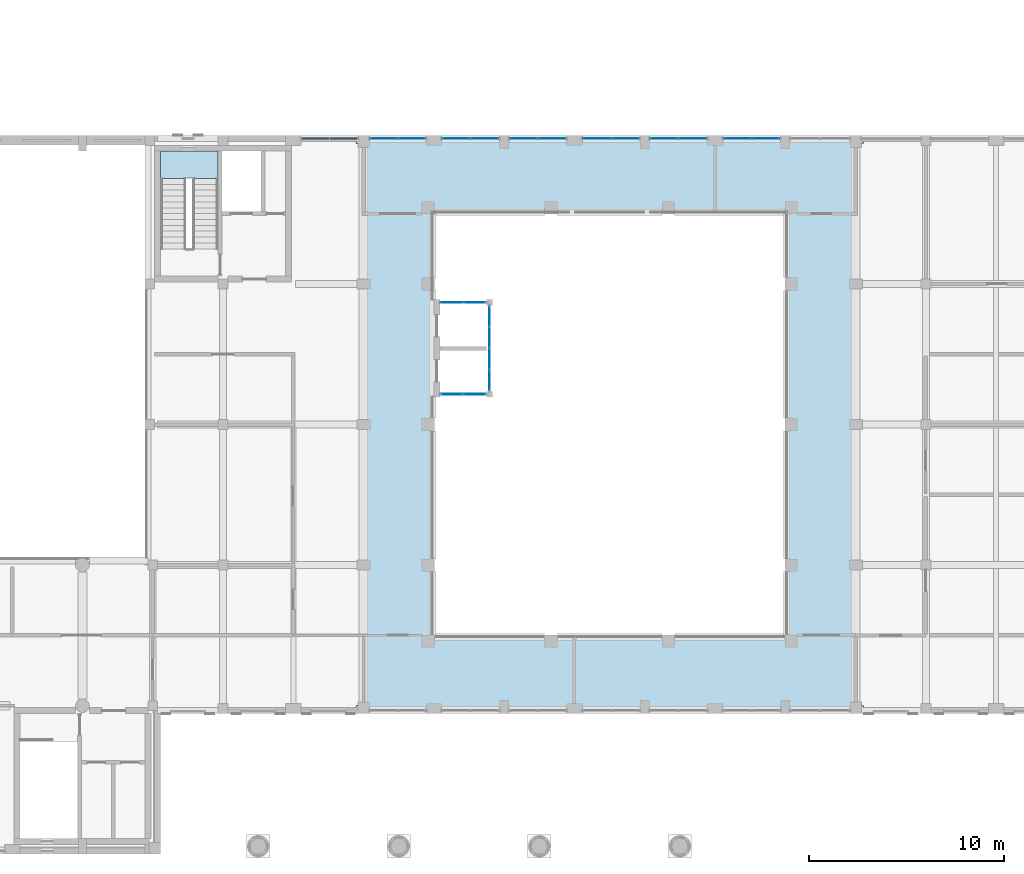
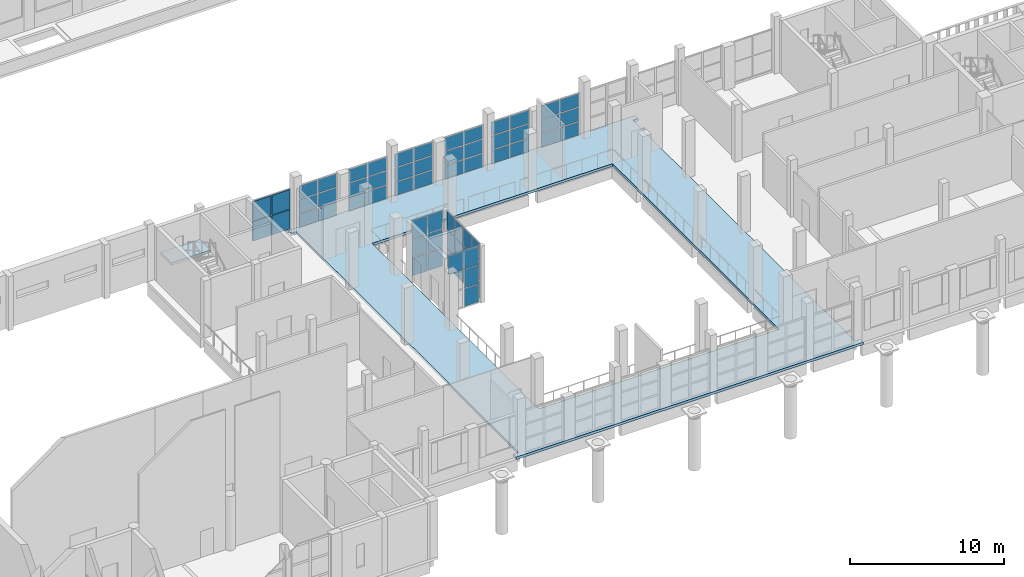
# One storey, part 15 of 59: 62 plates, 2 slabs, 11 elements without a shape of their own.
"""IFC4 building model written with IfcOpenShell, lengths in metres."""

from ifc_helpers import new_model, si_unit, direction, frame, origin, origin_2d, place, context, subcontext, project, spatial, polyline, rectangle, outline, extrude, material, layer, layer_set, type_object, element, aggregate, save


model = new_model("IFC4")

# Units and contexts
model_context = context("Model", 3, precision=1e-05, world=origin(), true_north=direction((0.0, 1.0)))
body_context = subcontext(model_context, "Body", "Model", "MODEL_VIEW")
ifc_project = project(units=[si_unit("LENGTHUNIT", "METRE"), si_unit("AREAUNIT", "SQUARE_METRE"), si_unit("VOLUMEUNIT", "CUBIC_METRE"), si_unit("PLANEANGLEUNIT", "RADIAN"), si_unit("MASSUNIT", "GRAM", prefix="KILO")], contexts=[model_context])

# Site, building, storey
site_placement = place(None, origin())
site = spatial("IfcSite", under=ifc_project, at=site_placement, CompositionType="ELEMENT")
building_placement = place(site_placement, origin())
building = spatial("IfcBuilding", under=site, at=building_placement, Name="Ussher Court Research Institute", CompositionType="ELEMENT")
storey_placement = place(building_placement, frame((0.0, 0.0, 5.39990234375)))
storey = spatial("IfcBuildingStorey", under=building, at=storey_placement, Name="L01", CompositionType="ELEMENT", Elevation=5.39990234375)

# Curtain wall, plates
ifc_material_1 = material(Name="Bronze anodised aluminium with fire-resisting glass", Category="aluminium")
ifc_layer_1 = layer(ifc_material_1, 0.1201171875)
ifc_layer_set_1 = layer_set([ifc_layer_1], Name="Bronze anodised aluminium with fire-resisting glass")
curtain_wall_type_1 = type_object("IfcCurtainWallType", Name="Curtain wall stair-side fire-resisting glazing", PredefinedType="NOTDEFINED", material=ifc_layer_set_1)
curtain_wall_1_placement = place(storey_placement, origin())
curtain_wall_1 = element("IfcCurtainWall", 1, at=curtain_wall_1_placement, inside=storey, type_object=curtain_wall_type_1, Name="Curtain wall CW13 L01", PredefinedType="NOTDEFINED")
ifc_material_2 = material(Name="Fire-resisting laminated glazed unit")
ifc_layer_2 = layer(ifc_material_2, 0.090087890625)
ifc_layer_set_2 = layer_set([ifc_layer_2], Name="Fire-resisting laminated glazed unit")
plate_type_1 = type_object("IfcPlateType", Name="Fire-resisting glazing panel EI 60 90 mm", PredefinedType="CURTAIN_PANEL", material=ifc_layer_set_2)
plate_1_placement = place(storey_placement, frame((36.5400390625, 40.25, 0.2099609375), z_axis=(0.0, 0.0, 1.0), x_axis=(1.0, 0.0, 0.0)))
plate_1 = element("IfcPlate", 2, at=plate_1_placement, type_object=plate_type_1, Name="CW13 panel 1.1", PredefinedType="CURTAIN_PANEL", context=body_context, shape_type="SweptSolid", body=[
    extrude(rectangle(XDim=1.360107421875, YDim=0.090087890625, at=origin_2d()), origin(), (0.0, 0.0, 1.0), 1.534912109375),
])
plate_2_placement = place(storey_placement, frame((36.5400390625, 40.25, 1.80517578125), z_axis=(0.0, 0.0, 1.0), x_axis=(1.0, 0.0, 0.0)))
plate_2 = element("IfcPlate", 3, at=plate_2_placement, type_object=plate_type_1, Name="CW13 panel 1.2", PredefinedType="CURTAIN_PANEL", context=body_context, shape_type="SweptSolid", body=[
    extrude(rectangle(XDim=1.360107421875, YDim=0.090087890625, at=origin_2d()), origin(), (0.0, 0.0, 1.0), 1.534912109375),
])
plate_3_placement = place(storey_placement, frame((37.9599609375, 40.25, 0.2099609375), z_axis=(0.0, 0.0, 1.0), x_axis=(1.0, 0.0, 0.0)))
plate_3 = element("IfcPlate", 4, at=plate_3_placement, type_object=plate_type_1, Name="CW13 panel 2.1", PredefinedType="CURTAIN_PANEL", context=body_context, shape_type="SweptSolid", body=[
    extrude(rectangle(XDim=1.360107421875, YDim=0.090087890625, at=origin_2d()), origin(), (0.0, 0.0, 1.0), 1.534912109375),
])
plate_4_placement = place(storey_placement, frame((37.9599609375, 40.25, 1.80517578125), z_axis=(0.0, 0.0, 1.0), x_axis=(1.0, 0.0, 0.0)))
plate_4 = element("IfcPlate", 5, at=plate_4_placement, type_object=plate_type_1, Name="CW13 panel 2.2", PredefinedType="CURTAIN_PANEL", context=body_context, shape_type="SweptSolid", body=[
    extrude(rectangle(XDim=1.360107421875, YDim=0.090087890625, at=origin_2d()), origin(), (0.0, 0.0, 1.0), 1.534912109375),
])
aggregate(curtain_wall_1, [plate_1, plate_2, plate_3, plate_4])

# Slab
ifc_material_3 = material(Name="Concrete C35/45", Category="concrete")
ifc_layer_3 = layer(ifc_material_3, 0.199951171875)
ifc_layer_set_3 = layer_set([ifc_layer_3], Name="Concrete C35/45")
slab_type_1 = type_object("IfcSlabType", Name="Floor slab 200", PredefinedType="FLOOR", material=ifc_layer_set_3)
slab_1_placement = place(storey_placement, frame((0.0, 0.0, -0.199951171875)))
element("IfcSlab", 6, at=slab_1_placement, inside=storey, type_object=slab_type_1, Name="FS200 V2 L01-01", PredefinedType="FLOOR", context=body_context, shape_type="SweptSolid", body=[
    extrude(outline(polyline([(39.0, 40.0), (39.0, 11.199951171875), (38.60009765625, 11.199951171875), (38.60009765625, 10.800048828125), (64.60009765625, 10.800048828125), (64.60009765625, 11.199951171875), (64.199951171875, 11.199951171875), (64.199951171875, 40.0), (64.60009765625, 40.0), (64.60009765625, 40.39990234375), (38.60009765625, 40.39990234375), (38.60009765625, 40.0), (39.0, 40.0)]), holes=[polyline([(42.60009765625, 36.39990234375), (60.60009765625, 36.39990234375), (60.60009765625, 14.800048828125), (42.60009765625, 14.800048828125), (42.60009765625, 36.39990234375)])]), origin(), (0.0, 0.0, 1.0), 0.199951171875),
])

# Curtain wall, plates
ifc_material_4 = material(Name="Bronze anodised aluminium with low-e glass", Category="aluminium")
ifc_layer_4 = layer(ifc_material_4, 0.1201171875)
ifc_layer_set_4 = layer_set([ifc_layer_4], Name="Bronze anodised aluminium with low-e glass")
curtain_wall_type_2 = type_object("IfcCurtainWallType", Name="Curtain wall atrium clear glazing", PredefinedType="NOTDEFINED", material=ifc_layer_set_4)
curtain_wall_2_placement = place(storey_placement, origin())
curtain_wall_2 = element("IfcCurtainWall", 7, at=curtain_wall_2_placement, inside=storey, type_object=curtain_wall_type_2, Name="Curtain wall CW2 L01", PredefinedType="NOTDEFINED")
ifc_material_5 = material(Name="Double glazed unit")
ifc_layer_5 = layer(ifc_material_5, 0.028076171875)
ifc_layer_set_5 = layer_set([ifc_layer_5], Name="Double glazed unit")
plate_type_2 = type_object("IfcPlateType", Name="Glazing panel 28 mm", PredefinedType="CURTAIN_PANEL", material=ifc_layer_set_5)
plate_5_placement = place(storey_placement, frame((40.0400390625, 40.25, 0.06005859375), z_axis=(0.0, 0.0, 1.0), x_axis=(1.0, 0.0, 0.0)))
plate_5 = element("IfcPlate", 8, at=plate_5_placement, type_object=plate_type_2, Name="CW2 panel 1.1", PredefinedType="CURTAIN_PANEL", context=body_context, shape_type="SweptSolid", body=[
    extrude(rectangle(XDim=1.360107421875, YDim=0.028076171875, at=origin_2d()), origin(), (0.0, 0.0, 1.0), 1.043212890625),
])
plate_6_placement = place(storey_placement, frame((40.0400390625, 40.25, 1.16357421875), z_axis=(0.0, 0.0, 1.0), x_axis=(1.0, 0.0, 0.0)))
plate_6 = element("IfcPlate", 9, at=plate_6_placement, type_object=plate_type_2, Name="CW2 panel 1.2", PredefinedType="CURTAIN_PANEL", context=body_context, shape_type="SweptSolid", body=[
    extrude(rectangle(XDim=1.360107421875, YDim=0.028076171875, at=origin_2d()), origin(), (0.0, 0.0, 1.0), 1.073486328125),
])
plate_7_placement = place(storey_placement, frame((40.0400390625, 40.25, 2.296875), z_axis=(0.0, 0.0, 1.0), x_axis=(1.0, 0.0, 0.0)))
plate_7 = element("IfcPlate", 10, at=plate_7_placement, type_object=plate_type_2, Name="CW2 panel 1.3", PredefinedType="CURTAIN_PANEL", context=body_context, shape_type="SweptSolid", body=[
    extrude(rectangle(XDim=1.360107421875, YDim=0.028076171875, at=origin_2d()), origin(), (0.0, 0.0, 1.0), 1.043212890625),
])
plate_8_placement = place(storey_placement, frame((41.4599609375, 40.25, 0.06005859375), z_axis=(0.0, 0.0, 1.0), x_axis=(1.0, 0.0, 0.0)))
plate_8 = element("IfcPlate", 11, at=plate_8_placement, type_object=plate_type_2, Name="CW2 panel 2.1", PredefinedType="CURTAIN_PANEL", context=body_context, shape_type="SweptSolid", body=[
    extrude(rectangle(XDim=1.360107421875, YDim=0.028076171875, at=origin_2d()), origin(), (0.0, 0.0, 1.0), 1.043212890625),
])
plate_9_placement = place(storey_placement, frame((41.4599609375, 40.25, 1.16357421875), z_axis=(0.0, 0.0, 1.0), x_axis=(1.0, 0.0, 0.0)))
plate_9 = element("IfcPlate", 12, at=plate_9_placement, type_object=plate_type_2, Name="CW2 panel 2.2", PredefinedType="CURTAIN_PANEL", context=body_context, shape_type="SweptSolid", body=[
    extrude(rectangle(XDim=1.360107421875, YDim=0.028076171875, at=origin_2d()), origin(), (0.0, 0.0, 1.0), 1.073486328125),
])
plate_10_placement = place(storey_placement, frame((41.4599609375, 40.25, 2.296875), z_axis=(0.0, 0.0, 1.0), x_axis=(1.0, 0.0, 0.0)))
plate_10 = element("IfcPlate", 13, at=plate_10_placement, type_object=plate_type_2, Name="CW2 panel 2.3", PredefinedType="CURTAIN_PANEL", context=body_context, shape_type="SweptSolid", body=[
    extrude(rectangle(XDim=1.360107421875, YDim=0.028076171875, at=origin_2d()), origin(), (0.0, 0.0, 1.0), 1.043212890625),
])
aggregate(curtain_wall_2, [plate_5, plate_6, plate_7, plate_8, plate_9, plate_10])

curtain_wall_3_placement = place(storey_placement, origin())
curtain_wall_3 = element("IfcCurtainWall", 14, at=curtain_wall_3_placement, inside=storey, type_object=curtain_wall_type_2, Name="Curtain wall CW2 L01", PredefinedType="NOTDEFINED")
plate_11_placement = place(storey_placement, frame((43.75244140625, 40.25, 0.06005859375), z_axis=(0.0, 0.0, 1.0), x_axis=(1.0, 0.0, 0.0)))
plate_11 = element("IfcPlate", 15, at=plate_11_placement, type_object=plate_type_2, Name="CW2 panel 1.1", PredefinedType="CURTAIN_PANEL", context=body_context, shape_type="SweptSolid", body=[
    extrude(rectangle(XDim=1.385009765625, YDim=0.028076171875, at=origin_2d()), origin(), (0.0, 0.0, 1.0), 1.043212890625),
])
plate_12_placement = place(storey_placement, frame((43.75244140625, 40.25, 1.16357421875), z_axis=(0.0, 0.0, 1.0), x_axis=(1.0, 0.0, 0.0)))
plate_12 = element("IfcPlate", 16, at=plate_12_placement, type_object=plate_type_2, Name="CW2 panel 1.2", PredefinedType="CURTAIN_PANEL", context=body_context, shape_type="SweptSolid", body=[
    extrude(rectangle(XDim=1.385009765625, YDim=0.028076171875, at=origin_2d()), origin(), (0.0, 0.0, 1.0), 1.073486328125),
])
plate_13_placement = place(storey_placement, frame((43.75244140625, 40.25, 2.296875), z_axis=(0.0, 0.0, 1.0), x_axis=(1.0, 0.0, 0.0)))
plate_13 = element("IfcPlate", 17, at=plate_13_placement, type_object=plate_type_2, Name="CW2 panel 1.3", PredefinedType="CURTAIN_PANEL", context=body_context, shape_type="SweptSolid", body=[
    extrude(rectangle(XDim=1.385009765625, YDim=0.028076171875, at=origin_2d()), origin(), (0.0, 0.0, 1.0), 1.043212890625),
])
plate_14_placement = place(storey_placement, frame((45.197509765625, 40.25, 0.06005859375), z_axis=(0.0, 0.0, 1.0), x_axis=(1.0, 0.0, 0.0)))
plate_14 = element("IfcPlate", 18, at=plate_14_placement, type_object=plate_type_2, Name="CW2 panel 2.1", PredefinedType="CURTAIN_PANEL", context=body_context, shape_type="SweptSolid", body=[
    extrude(rectangle(XDim=1.385009765625, YDim=0.028076171875, at=origin_2d()), origin(), (0.0, 0.0, 1.0), 1.043212890625),
])
plate_15_placement = place(storey_placement, frame((45.197509765625, 40.25, 1.16357421875), z_axis=(0.0, 0.0, 1.0), x_axis=(1.0, 0.0, 0.0)))
plate_15 = element("IfcPlate", 19, at=plate_15_placement, type_object=plate_type_2, Name="CW2 panel 2.2", PredefinedType="CURTAIN_PANEL", context=body_context, shape_type="SweptSolid", body=[
    extrude(rectangle(XDim=1.385009765625, YDim=0.028076171875, at=origin_2d()), origin(), (0.0, 0.0, 1.0), 1.073486328125),
])
plate_16_placement = place(storey_placement, frame((45.197509765625, 40.25, 2.296875), z_axis=(0.0, 0.0, 1.0), x_axis=(1.0, 0.0, 0.0)))
plate_16 = element("IfcPlate", 20, at=plate_16_placement, type_object=plate_type_2, Name="CW2 panel 2.3", PredefinedType="CURTAIN_PANEL", context=body_context, shape_type="SweptSolid", body=[
    extrude(rectangle(XDim=1.385009765625, YDim=0.028076171875, at=origin_2d()), origin(), (0.0, 0.0, 1.0), 1.043212890625),
])
aggregate(curtain_wall_3, [plate_11, plate_12, plate_13, plate_14, plate_15, plate_16])

curtain_wall_4_placement = place(storey_placement, origin())
curtain_wall_4 = element("IfcCurtainWall", 21, at=curtain_wall_4_placement, inside=storey, type_object=curtain_wall_type_2, Name="Curtain wall CW2 L01", PredefinedType="NOTDEFINED")
plate_17_placement = place(storey_placement, frame((47.202392578125, 40.25, 0.06005859375), z_axis=(0.0, 0.0, 1.0), x_axis=(1.0, 0.0, 0.0)))
plate_17 = element("IfcPlate", 22, at=plate_17_placement, type_object=plate_type_2, Name="CW2 panel 1.1", PredefinedType="CURTAIN_PANEL", context=body_context, shape_type="SweptSolid", body=[
    extrude(rectangle(XDim=1.385009765625, YDim=0.028076171875, at=origin_2d()), origin(), (0.0, 0.0, 1.0), 1.043212890625),
])
plate_18_placement = place(storey_placement, frame((47.202392578125, 40.25, 1.16357421875), z_axis=(0.0, 0.0, 1.0), x_axis=(1.0, 0.0, 0.0)))
plate_18 = element("IfcPlate", 23, at=plate_18_placement, type_object=plate_type_2, Name="CW2 panel 1.2", PredefinedType="CURTAIN_PANEL", context=body_context, shape_type="SweptSolid", body=[
    extrude(rectangle(XDim=1.385009765625, YDim=0.028076171875, at=origin_2d()), origin(), (0.0, 0.0, 1.0), 1.073486328125),
])
plate_19_placement = place(storey_placement, frame((47.202392578125, 40.25, 2.296875), z_axis=(0.0, 0.0, 1.0), x_axis=(1.0, 0.0, 0.0)))
plate_19 = element("IfcPlate", 24, at=plate_19_placement, type_object=plate_type_2, Name="CW2 panel 1.3", PredefinedType="CURTAIN_PANEL", context=body_context, shape_type="SweptSolid", body=[
    extrude(rectangle(XDim=1.385009765625, YDim=0.028076171875, at=origin_2d()), origin(), (0.0, 0.0, 1.0), 1.043212890625),
])
plate_20_placement = place(storey_placement, frame((48.6474609375, 40.25, 0.06005859375), z_axis=(0.0, 0.0, 1.0), x_axis=(1.0, 0.0, 0.0)))
plate_20 = element("IfcPlate", 25, at=plate_20_placement, type_object=plate_type_2, Name="CW2 panel 2.1", PredefinedType="CURTAIN_PANEL", context=body_context, shape_type="SweptSolid", body=[
    extrude(rectangle(XDim=1.385009765625, YDim=0.028076171875, at=origin_2d()), origin(), (0.0, 0.0, 1.0), 1.043212890625),
])
plate_21_placement = place(storey_placement, frame((48.6474609375, 40.25, 1.16357421875), z_axis=(0.0, 0.0, 1.0), x_axis=(1.0, 0.0, 0.0)))
plate_21 = element("IfcPlate", 26, at=plate_21_placement, type_object=plate_type_2, Name="CW2 panel 2.2", PredefinedType="CURTAIN_PANEL", context=body_context, shape_type="SweptSolid", body=[
    extrude(rectangle(XDim=1.385009765625, YDim=0.028076171875, at=origin_2d()), origin(), (0.0, 0.0, 1.0), 1.073486328125),
])
plate_22_placement = place(storey_placement, frame((48.6474609375, 40.25, 2.296875), z_axis=(0.0, 0.0, 1.0), x_axis=(1.0, 0.0, 0.0)))
plate_22 = element("IfcPlate", 27, at=plate_22_placement, type_object=plate_type_2, Name="CW2 panel 2.3", PredefinedType="CURTAIN_PANEL", context=body_context, shape_type="SweptSolid", body=[
    extrude(rectangle(XDim=1.385009765625, YDim=0.028076171875, at=origin_2d()), origin(), (0.0, 0.0, 1.0), 1.043212890625),
])
aggregate(curtain_wall_4, [plate_17, plate_18, plate_19, plate_20, plate_21, plate_22])

curtain_wall_5_placement = place(storey_placement, origin())
curtain_wall_5 = element("IfcCurtainWall", 28, at=curtain_wall_5_placement, inside=storey, type_object=curtain_wall_type_2, Name="Curtain wall CW2 L01", PredefinedType="NOTDEFINED")
plate_23_placement = place(storey_placement, frame((50.952392578125, 40.25, 0.06005859375), z_axis=(0.0, 0.0, 1.0), x_axis=(1.0, 0.0, 0.0)))
plate_23 = element("IfcPlate", 29, at=plate_23_placement, type_object=plate_type_2, Name="CW2 panel 1.1", PredefinedType="CURTAIN_PANEL", context=body_context, shape_type="SweptSolid", body=[
    extrude(rectangle(XDim=1.385009765625, YDim=0.028076171875, at=origin_2d()), origin(), (0.0, 0.0, 1.0), 1.043212890625),
])
plate_24_placement = place(storey_placement, frame((50.952392578125, 40.25, 1.16357421875), z_axis=(0.0, 0.0, 1.0), x_axis=(1.0, 0.0, 0.0)))
plate_24 = element("IfcPlate", 30, at=plate_24_placement, type_object=plate_type_2, Name="CW2 panel 1.2", PredefinedType="CURTAIN_PANEL", context=body_context, shape_type="SweptSolid", body=[
    extrude(rectangle(XDim=1.385009765625, YDim=0.028076171875, at=origin_2d()), origin(), (0.0, 0.0, 1.0), 1.073486328125),
])
plate_25_placement = place(storey_placement, frame((50.952392578125, 40.25, 2.296875), z_axis=(0.0, 0.0, 1.0), x_axis=(1.0, 0.0, 0.0)))
plate_25 = element("IfcPlate", 31, at=plate_25_placement, type_object=plate_type_2, Name="CW2 panel 1.3", PredefinedType="CURTAIN_PANEL", context=body_context, shape_type="SweptSolid", body=[
    extrude(rectangle(XDim=1.385009765625, YDim=0.028076171875, at=origin_2d()), origin(), (0.0, 0.0, 1.0), 1.043212890625),
])
plate_26_placement = place(storey_placement, frame((52.3974609375, 40.25, 0.06005859375), z_axis=(0.0, 0.0, 1.0), x_axis=(1.0, 0.0, 0.0)))
plate_26 = element("IfcPlate", 32, at=plate_26_placement, type_object=plate_type_2, Name="CW2 panel 2.1", PredefinedType="CURTAIN_PANEL", context=body_context, shape_type="SweptSolid", body=[
    extrude(rectangle(XDim=1.385009765625, YDim=0.028076171875, at=origin_2d()), origin(), (0.0, 0.0, 1.0), 1.043212890625),
])
plate_27_placement = place(storey_placement, frame((52.3974609375, 40.25, 1.16357421875), z_axis=(0.0, 0.0, 1.0), x_axis=(1.0, 0.0, 0.0)))
plate_27 = element("IfcPlate", 33, at=plate_27_placement, type_object=plate_type_2, Name="CW2 panel 2.2", PredefinedType="CURTAIN_PANEL", context=body_context, shape_type="SweptSolid", body=[
    extrude(rectangle(XDim=1.385009765625, YDim=0.028076171875, at=origin_2d()), origin(), (0.0, 0.0, 1.0), 1.073486328125),
])
plate_28_placement = place(storey_placement, frame((52.3974609375, 40.25, 2.296875), z_axis=(0.0, 0.0, 1.0), x_axis=(1.0, 0.0, 0.0)))
plate_28 = element("IfcPlate", 34, at=plate_28_placement, type_object=plate_type_2, Name="CW2 panel 2.3", PredefinedType="CURTAIN_PANEL", context=body_context, shape_type="SweptSolid", body=[
    extrude(rectangle(XDim=1.385009765625, YDim=0.028076171875, at=origin_2d()), origin(), (0.0, 0.0, 1.0), 1.043212890625),
])
aggregate(curtain_wall_5, [plate_23, plate_24, plate_25, plate_26, plate_27, plate_28])

curtain_wall_6_placement = place(storey_placement, origin())
curtain_wall_6 = element("IfcCurtainWall", 35, at=curtain_wall_6_placement, inside=storey, type_object=curtain_wall_type_2, Name="Curtain wall CW2 L01", PredefinedType="NOTDEFINED")
plate_29_placement = place(storey_placement, frame((54.402587890625, 40.25, 0.06005859375), z_axis=(0.0, 0.0, 1.0), x_axis=(1.0, 0.0, 0.0)))
plate_29 = element("IfcPlate", 36, at=plate_29_placement, type_object=plate_type_2, Name="CW2 panel 1.1", PredefinedType="CURTAIN_PANEL", context=body_context, shape_type="SweptSolid", body=[
    extrude(rectangle(XDim=1.385009765625, YDim=0.028076171875, at=origin_2d()), origin(), (0.0, 0.0, 1.0), 1.043212890625),
])
plate_30_placement = place(storey_placement, frame((54.402587890625, 40.25, 1.16357421875), z_axis=(0.0, 0.0, 1.0), x_axis=(1.0, 0.0, 0.0)))
plate_30 = element("IfcPlate", 37, at=plate_30_placement, type_object=plate_type_2, Name="CW2 panel 1.2", PredefinedType="CURTAIN_PANEL", context=body_context, shape_type="SweptSolid", body=[
    extrude(rectangle(XDim=1.385009765625, YDim=0.028076171875, at=origin_2d()), origin(), (0.0, 0.0, 1.0), 1.073486328125),
])
plate_31_placement = place(storey_placement, frame((54.402587890625, 40.25, 2.296875), z_axis=(0.0, 0.0, 1.0), x_axis=(1.0, 0.0, 0.0)))
plate_31 = element("IfcPlate", 38, at=plate_31_placement, type_object=plate_type_2, Name="CW2 panel 1.3", PredefinedType="CURTAIN_PANEL", context=body_context, shape_type="SweptSolid", body=[
    extrude(rectangle(XDim=1.385009765625, YDim=0.028076171875, at=origin_2d()), origin(), (0.0, 0.0, 1.0), 1.043212890625),
])
plate_32_placement = place(storey_placement, frame((55.847412109375, 40.25, 0.06005859375), z_axis=(0.0, 0.0, 1.0), x_axis=(1.0, 0.0, 0.0)))
plate_32 = element("IfcPlate", 39, at=plate_32_placement, type_object=plate_type_2, Name="CW2 panel 2.1", PredefinedType="CURTAIN_PANEL", context=body_context, shape_type="SweptSolid", body=[
    extrude(rectangle(XDim=1.385009765625, YDim=0.028076171875, at=origin_2d()), origin(), (0.0, 0.0, 1.0), 1.043212890625),
])
plate_33_placement = place(storey_placement, frame((55.847412109375, 40.25, 1.16357421875), z_axis=(0.0, 0.0, 1.0), x_axis=(1.0, 0.0, 0.0)))
plate_33 = element("IfcPlate", 40, at=plate_33_placement, type_object=plate_type_2, Name="CW2 panel 2.2", PredefinedType="CURTAIN_PANEL", context=body_context, shape_type="SweptSolid", body=[
    extrude(rectangle(XDim=1.385009765625, YDim=0.028076171875, at=origin_2d()), origin(), (0.0, 0.0, 1.0), 1.073486328125),
])
plate_34_placement = place(storey_placement, frame((55.847412109375, 40.25, 2.296875), z_axis=(0.0, 0.0, 1.0), x_axis=(1.0, 0.0, 0.0)))
plate_34 = element("IfcPlate", 41, at=plate_34_placement, type_object=plate_type_2, Name="CW2 panel 2.3", PredefinedType="CURTAIN_PANEL", context=body_context, shape_type="SweptSolid", body=[
    extrude(rectangle(XDim=1.385009765625, YDim=0.028076171875, at=origin_2d()), origin(), (0.0, 0.0, 1.0), 1.043212890625),
])
aggregate(curtain_wall_6, [plate_29, plate_30, plate_31, plate_32, plate_33, plate_34])

curtain_wall_7_placement = place(storey_placement, origin())
curtain_wall_7 = element("IfcCurtainWall", 42, at=curtain_wall_7_placement, inside=storey, type_object=curtain_wall_type_2, Name="Curtain wall CW2 L01", PredefinedType="NOTDEFINED")
plate_35_placement = place(storey_placement, frame((58.152587890625, 40.25, 0.06005859375), z_axis=(0.0, 0.0, 1.0), x_axis=(1.0, 0.0, 0.0)))
plate_35 = element("IfcPlate", 43, at=plate_35_placement, type_object=plate_type_2, Name="CW2 panel 1.1", PredefinedType="CURTAIN_PANEL", context=body_context, shape_type="SweptSolid", body=[
    extrude(rectangle(XDim=1.385009765625, YDim=0.028076171875, at=origin_2d()), origin(), (0.0, 0.0, 1.0), 1.043212890625),
])
plate_36_placement = place(storey_placement, frame((58.152587890625, 40.25, 1.16357421875), z_axis=(0.0, 0.0, 1.0), x_axis=(1.0, 0.0, 0.0)))
plate_36 = element("IfcPlate", 44, at=plate_36_placement, type_object=plate_type_2, Name="CW2 panel 1.2", PredefinedType="CURTAIN_PANEL", context=body_context, shape_type="SweptSolid", body=[
    extrude(rectangle(XDim=1.385009765625, YDim=0.028076171875, at=origin_2d()), origin(), (0.0, 0.0, 1.0), 1.073486328125),
])
plate_37_placement = place(storey_placement, frame((58.152587890625, 40.25, 2.296875), z_axis=(0.0, 0.0, 1.0), x_axis=(1.0, 0.0, 0.0)))
plate_37 = element("IfcPlate", 45, at=plate_37_placement, type_object=plate_type_2, Name="CW2 panel 1.3", PredefinedType="CURTAIN_PANEL", context=body_context, shape_type="SweptSolid", body=[
    extrude(rectangle(XDim=1.385009765625, YDim=0.028076171875, at=origin_2d()), origin(), (0.0, 0.0, 1.0), 1.043212890625),
])
plate_38_placement = place(storey_placement, frame((59.597412109375, 40.25, 0.06005859375), z_axis=(0.0, 0.0, 1.0), x_axis=(1.0, 0.0, 0.0)))
plate_38 = element("IfcPlate", 46, at=plate_38_placement, type_object=plate_type_2, Name="CW2 panel 2.1", PredefinedType="CURTAIN_PANEL", context=body_context, shape_type="SweptSolid", body=[
    extrude(rectangle(XDim=1.385009765625, YDim=0.028076171875, at=origin_2d()), origin(), (0.0, 0.0, 1.0), 1.043212890625),
])
plate_39_placement = place(storey_placement, frame((59.597412109375, 40.25, 1.16357421875), z_axis=(0.0, 0.0, 1.0), x_axis=(1.0, 0.0, 0.0)))
plate_39 = element("IfcPlate", 47, at=plate_39_placement, type_object=plate_type_2, Name="CW2 panel 2.2", PredefinedType="CURTAIN_PANEL", context=body_context, shape_type="SweptSolid", body=[
    extrude(rectangle(XDim=1.385009765625, YDim=0.028076171875, at=origin_2d()), origin(), (0.0, 0.0, 1.0), 1.073486328125),
])
plate_40_placement = place(storey_placement, frame((59.597412109375, 40.25, 2.296875), z_axis=(0.0, 0.0, 1.0), x_axis=(1.0, 0.0, 0.0)))
plate_40 = element("IfcPlate", 48, at=plate_40_placement, type_object=plate_type_2, Name="CW2 panel 2.3", PredefinedType="CURTAIN_PANEL", context=body_context, shape_type="SweptSolid", body=[
    extrude(rectangle(XDim=1.385009765625, YDim=0.028076171875, at=origin_2d()), origin(), (0.0, 0.0, 1.0), 1.043212890625),
])
aggregate(curtain_wall_7, [plate_35, plate_36, plate_37, plate_38, plate_39, plate_40])

curtain_wall_8_placement = place(storey_placement, origin())
curtain_wall_8 = element("IfcCurtainWall", 49, at=curtain_wall_8_placement, inside=storey, type_object=curtain_wall_type_2, Name="Curtain wall CW2 lift shaft L01", PredefinedType="NOTDEFINED")
plate_41_placement = place(storey_placement, frame((43.514892578125, 27.14990234375, 3.0302734375), z_axis=(0.0, 0.0, 1.0), x_axis=(1.0, 0.0, 0.0)))
plate_41 = element("IfcPlate", 50, at=plate_41_placement, type_object=plate_type_2, Name="CW2 panel 1.3", PredefinedType="CURTAIN_PANEL", context=body_context, shape_type="SweptSolid", body=[
    extrude(rectangle(XDim=1.110107421875, YDim=0.028076171875, at=origin_2d()), origin(), (0.0, 0.0, 1.0), 1.409912109375),
])
plate_42_placement = place(storey_placement, frame((44.68505859375, 27.14990234375, 0.06005859375), z_axis=(0.0, 0.0, 1.0), x_axis=(1.0, 0.0, 0.0)))
plate_42 = element("IfcPlate", 51, at=plate_42_placement, type_object=plate_type_2, Name="CW2 panel 2.1", PredefinedType="CURTAIN_PANEL", context=body_context, shape_type="SweptSolid", body=[
    extrude(rectangle(XDim=1.110107421875, YDim=0.028076171875, at=origin_2d()), origin(), (0.0, 0.0, 1.0), 1.409912109375),
])
plate_43_placement = place(storey_placement, frame((44.68505859375, 27.14990234375, 1.530029296875), z_axis=(0.0, 0.0, 1.0), x_axis=(1.0, 0.0, 0.0)))
plate_43 = element("IfcPlate", 52, at=plate_43_placement, type_object=plate_type_2, Name="CW2 panel 2.2", PredefinedType="CURTAIN_PANEL", context=body_context, shape_type="SweptSolid", body=[
    extrude(rectangle(XDim=1.110107421875, YDim=0.028076171875, at=origin_2d()), origin(), (0.0, 0.0, 1.0), 1.43994140625),
])
plate_44_placement = place(storey_placement, frame((44.68505859375, 27.14990234375, 3.0302734375), z_axis=(0.0, 0.0, 1.0), x_axis=(1.0, 0.0, 0.0)))
plate_44 = element("IfcPlate", 53, at=plate_44_placement, type_object=plate_type_2, Name="CW2 panel 2.3", PredefinedType="CURTAIN_PANEL", context=body_context, shape_type="SweptSolid", body=[
    extrude(rectangle(XDim=1.110107421875, YDim=0.028076171875, at=origin_2d()), origin(), (0.0, 0.0, 1.0), 1.409912109375),
])
aggregate(curtain_wall_8, [plate_41, plate_42, plate_43, plate_44])

curtain_wall_9_placement = place(storey_placement, origin())
curtain_wall_9 = element("IfcCurtainWall", 54, at=curtain_wall_9_placement, inside=storey, type_object=curtain_wall_type_2, Name="Curtain wall CW2 lift shaft L01", PredefinedType="NOTDEFINED")
plate_45_placement = place(storey_placement, frame((43.514892578125, 31.85009765625, 0.06005859375), z_axis=(0.0, 0.0, 1.0), x_axis=(1.0, 0.0, 0.0)))
plate_45 = element("IfcPlate", 55, at=plate_45_placement, type_object=plate_type_2, Name="CW2 panel 1.1", PredefinedType="CURTAIN_PANEL", context=body_context, shape_type="SweptSolid", body=[
    extrude(rectangle(XDim=1.110107421875, YDim=0.028076171875, at=origin_2d()), origin(), (0.0, 0.0, 1.0), 1.409912109375),
])
plate_46_placement = place(storey_placement, frame((43.514892578125, 31.85009765625, 1.530029296875), z_axis=(0.0, 0.0, 1.0), x_axis=(1.0, 0.0, 0.0)))
plate_46 = element("IfcPlate", 56, at=plate_46_placement, type_object=plate_type_2, Name="CW2 panel 1.2", PredefinedType="CURTAIN_PANEL", context=body_context, shape_type="SweptSolid", body=[
    extrude(rectangle(XDim=1.110107421875, YDim=0.028076171875, at=origin_2d()), origin(), (0.0, 0.0, 1.0), 1.43994140625),
])
plate_47_placement = place(storey_placement, frame((43.514892578125, 31.85009765625, 3.0302734375), z_axis=(0.0, 0.0, 1.0), x_axis=(1.0, 0.0, 0.0)))
plate_47 = element("IfcPlate", 57, at=plate_47_placement, type_object=plate_type_2, Name="CW2 panel 1.3", PredefinedType="CURTAIN_PANEL", context=body_context, shape_type="SweptSolid", body=[
    extrude(rectangle(XDim=1.110107421875, YDim=0.028076171875, at=origin_2d()), origin(), (0.0, 0.0, 1.0), 1.409912109375),
])
plate_48_placement = place(storey_placement, frame((44.68505859375, 31.85009765625, 0.06005859375), z_axis=(0.0, 0.0, 1.0), x_axis=(1.0, 0.0, 0.0)))
plate_48 = element("IfcPlate", 58, at=plate_48_placement, type_object=plate_type_2, Name="CW2 panel 2.1", PredefinedType="CURTAIN_PANEL", context=body_context, shape_type="SweptSolid", body=[
    extrude(rectangle(XDim=1.110107421875, YDim=0.028076171875, at=origin_2d()), origin(), (0.0, 0.0, 1.0), 1.409912109375),
])
plate_49_placement = place(storey_placement, frame((44.68505859375, 31.85009765625, 1.530029296875), z_axis=(0.0, 0.0, 1.0), x_axis=(1.0, 0.0, 0.0)))
plate_49 = element("IfcPlate", 59, at=plate_49_placement, type_object=plate_type_2, Name="CW2 panel 2.2", PredefinedType="CURTAIN_PANEL", context=body_context, shape_type="SweptSolid", body=[
    extrude(rectangle(XDim=1.110107421875, YDim=0.028076171875, at=origin_2d()), origin(), (0.0, 0.0, 1.0), 1.43994140625),
])
plate_50_placement = place(storey_placement, frame((44.68505859375, 31.85009765625, 3.0302734375), z_axis=(0.0, 0.0, 1.0), x_axis=(1.0, 0.0, 0.0)))
plate_50 = element("IfcPlate", 60, at=plate_50_placement, type_object=plate_type_2, Name="CW2 panel 2.3", PredefinedType="CURTAIN_PANEL", context=body_context, shape_type="SweptSolid", body=[
    extrude(rectangle(XDim=1.110107421875, YDim=0.028076171875, at=origin_2d()), origin(), (0.0, 0.0, 1.0), 1.409912109375),
])
aggregate(curtain_wall_9, [plate_45, plate_46, plate_47, plate_48, plate_49, plate_50])

curtain_wall_10_placement = place(storey_placement, origin())
curtain_wall_10 = element("IfcCurtainWall", 61, at=curtain_wall_10_placement, inside=storey, type_object=curtain_wall_type_2, Name="Curtain wall CW2 lift shaft L01", PredefinedType="NOTDEFINED")
plate_51_placement = place(storey_placement, frame((45.449951171875, 27.864990234375, 0.06005859375), z_axis=(0.0, 0.0, 1.0), x_axis=(0.0, 1.0, 0.0)))
plate_51 = element("IfcPlate", 62, at=plate_51_placement, type_object=plate_type_2, Name="CW2 panel 1.1", PredefinedType="CURTAIN_PANEL", context=body_context, shape_type="SweptSolid", body=[
    extrude(rectangle(XDim=1.010009765625, YDim=0.028076171875, at=origin_2d()), origin(), (0.0, 0.0, 1.0), 1.409912109375),
])
plate_52_placement = place(storey_placement, frame((45.449951171875, 27.864990234375, 1.530029296875), z_axis=(0.0, 0.0, 1.0), x_axis=(0.0, 1.0, 0.0)))
plate_52 = element("IfcPlate", 63, at=plate_52_placement, type_object=plate_type_2, Name="CW2 panel 1.2", PredefinedType="CURTAIN_PANEL", context=body_context, shape_type="SweptSolid", body=[
    extrude(rectangle(XDim=1.010009765625, YDim=0.028076171875, at=origin_2d()), origin(), (0.0, 0.0, 1.0), 1.43994140625),
])
plate_53_placement = place(storey_placement, frame((45.449951171875, 27.864990234375, 3.0302734375), z_axis=(0.0, 0.0, 1.0), x_axis=(0.0, 1.0, 0.0)))
plate_53 = element("IfcPlate", 64, at=plate_53_placement, type_object=plate_type_2, Name="CW2 panel 1.3", PredefinedType="CURTAIN_PANEL", context=body_context, shape_type="SweptSolid", body=[
    extrude(rectangle(XDim=1.010009765625, YDim=0.028076171875, at=origin_2d()), origin(), (0.0, 0.0, 1.0), 1.409912109375),
])
plate_54_placement = place(storey_placement, frame((45.449951171875, 28.949951171875, 0.06005859375), z_axis=(0.0, 0.0, 1.0), x_axis=(0.0, 1.0, 0.0)))
plate_54 = element("IfcPlate", 65, at=plate_54_placement, type_object=plate_type_2, Name="CW2 panel 2.1", PredefinedType="CURTAIN_PANEL", context=body_context, shape_type="SweptSolid", body=[
    extrude(rectangle(XDim=1.0400390625, YDim=0.028076171875, at=origin_2d()), origin(), (0.0, 0.0, 1.0), 1.409912109375),
])
plate_55_placement = place(storey_placement, frame((45.449951171875, 28.949951171875, 1.530029296875), z_axis=(0.0, 0.0, 1.0), x_axis=(0.0, 1.0, 0.0)))
plate_55 = element("IfcPlate", 66, at=plate_55_placement, type_object=plate_type_2, Name="CW2 panel 2.2", PredefinedType="CURTAIN_PANEL", context=body_context, shape_type="SweptSolid", body=[
    extrude(rectangle(XDim=1.0400390625, YDim=0.028076171875, at=origin_2d()), origin(), (0.0, 0.0, 1.0), 1.43994140625),
])
plate_56_placement = place(storey_placement, frame((45.449951171875, 28.949951171875, 3.0302734375), z_axis=(0.0, 0.0, 1.0), x_axis=(0.0, 1.0, 0.0)))
plate_56 = element("IfcPlate", 67, at=plate_56_placement, type_object=plate_type_2, Name="CW2 panel 2.3", PredefinedType="CURTAIN_PANEL", context=body_context, shape_type="SweptSolid", body=[
    extrude(rectangle(XDim=1.0400390625, YDim=0.028076171875, at=origin_2d()), origin(), (0.0, 0.0, 1.0), 1.409912109375),
])
plate_57_placement = place(storey_placement, frame((45.449951171875, 30.050048828125, 0.06005859375), z_axis=(0.0, 0.0, 1.0), x_axis=(0.0, 1.0, 0.0)))
plate_57 = element("IfcPlate", 68, at=plate_57_placement, type_object=plate_type_2, Name="CW2 panel 3.1", PredefinedType="CURTAIN_PANEL", context=body_context, shape_type="SweptSolid", body=[
    extrude(rectangle(XDim=1.0400390625, YDim=0.028076171875, at=origin_2d()), origin(), (0.0, 0.0, 1.0), 1.409912109375),
])
plate_58_placement = place(storey_placement, frame((45.449951171875, 30.050048828125, 1.530029296875), z_axis=(0.0, 0.0, 1.0), x_axis=(0.0, 1.0, 0.0)))
plate_58 = element("IfcPlate", 69, at=plate_58_placement, type_object=plate_type_2, Name="CW2 panel 3.2", PredefinedType="CURTAIN_PANEL", context=body_context, shape_type="SweptSolid", body=[
    extrude(rectangle(XDim=1.0400390625, YDim=0.028076171875, at=origin_2d()), origin(), (0.0, 0.0, 1.0), 1.43994140625),
])
plate_59_placement = place(storey_placement, frame((45.449951171875, 30.050048828125, 3.0302734375), z_axis=(0.0, 0.0, 1.0), x_axis=(0.0, 1.0, 0.0)))
plate_59 = element("IfcPlate", 70, at=plate_59_placement, type_object=plate_type_2, Name="CW2 panel 3.3", PredefinedType="CURTAIN_PANEL", context=body_context, shape_type="SweptSolid", body=[
    extrude(rectangle(XDim=1.0400390625, YDim=0.028076171875, at=origin_2d()), origin(), (0.0, 0.0, 1.0), 1.409912109375),
])
plate_60_placement = place(storey_placement, frame((45.449951171875, 31.135009765625, 0.06005859375), z_axis=(0.0, 0.0, 1.0), x_axis=(0.0, 1.0, 0.0)))
plate_60 = element("IfcPlate", 71, at=plate_60_placement, type_object=plate_type_2, Name="CW2 panel 4.1", PredefinedType="CURTAIN_PANEL", context=body_context, shape_type="SweptSolid", body=[
    extrude(rectangle(XDim=1.010009765625, YDim=0.028076171875, at=origin_2d()), origin(), (0.0, 0.0, 1.0), 1.409912109375),
])
plate_61_placement = place(storey_placement, frame((45.449951171875, 31.135009765625, 1.530029296875), z_axis=(0.0, 0.0, 1.0), x_axis=(0.0, 1.0, 0.0)))
plate_61 = element("IfcPlate", 72, at=plate_61_placement, type_object=plate_type_2, Name="CW2 panel 4.2", PredefinedType="CURTAIN_PANEL", context=body_context, shape_type="SweptSolid", body=[
    extrude(rectangle(XDim=1.010009765625, YDim=0.028076171875, at=origin_2d()), origin(), (0.0, 0.0, 1.0), 1.43994140625),
])
plate_62_placement = place(storey_placement, frame((45.449951171875, 31.135009765625, 3.0302734375), z_axis=(0.0, 0.0, 1.0), x_axis=(0.0, 1.0, 0.0)))
plate_62 = element("IfcPlate", 73, at=plate_62_placement, type_object=plate_type_2, Name="CW2 panel 4.3", PredefinedType="CURTAIN_PANEL", context=body_context, shape_type="SweptSolid", body=[
    extrude(rectangle(XDim=1.010009765625, YDim=0.028076171875, at=origin_2d()), origin(), (0.0, 0.0, 1.0), 1.409912109375),
])
aggregate(curtain_wall_10, [plate_51, plate_52, plate_53, plate_54, plate_55, plate_56, plate_57, plate_58, plate_59, plate_60, plate_61, plate_62])

# Stair, slab
ifc_material_6 = material(Name="Concrete C35/45", Category="concrete")
stair_type = type_object("IfcStairType", Name="Core stair 26 risers 173 mm x 300 going 1300 wide", PredefinedType="HALF_TURN_STAIR", material=ifc_material_6)
stair_placement = place(storey_placement, origin())
stair = element("IfcStair", 74, at=stair_placement, inside=storey, type_object=stair_type, Name="L01 Stair W1", PredefinedType="HALF_TURN_STAIR")
ifc_material_7 = material(Name="Concrete C35/45", Category="concrete")
ifc_layer_6 = layer(ifc_material_7, 0.199951171875)
ifc_layer_set_6 = layer_set([ifc_layer_6], Name="Concrete C35/45")
slab_type_2 = type_object("IfcSlabType", Name="Stair landing 200 RC", PredefinedType="LANDING", material=ifc_layer_set_6)
slab_2_placement = place(storey_placement, frame((0.0, 0.0, 2.050048828125)))
slab_2 = element("IfcSlab", 75, at=slab_2_placement, type_object=slab_type_2, Name="W1 landing 1", PredefinedType="LANDING", context=body_context, shape_type="SweptSolid", body=[
    extrude(outline(polyline([(31.550048828125, 38.199951171875), (31.550048828125, 39.60009765625), (28.60009765625, 39.60009765625), (28.60009765625, 38.199951171875), (31.550048828125, 38.199951171875)])), origin(), (0.0, 0.0, 1.0), 0.199951171875),
])
aggregate(stair, [slab_2])

save(model, "model.ifc")
